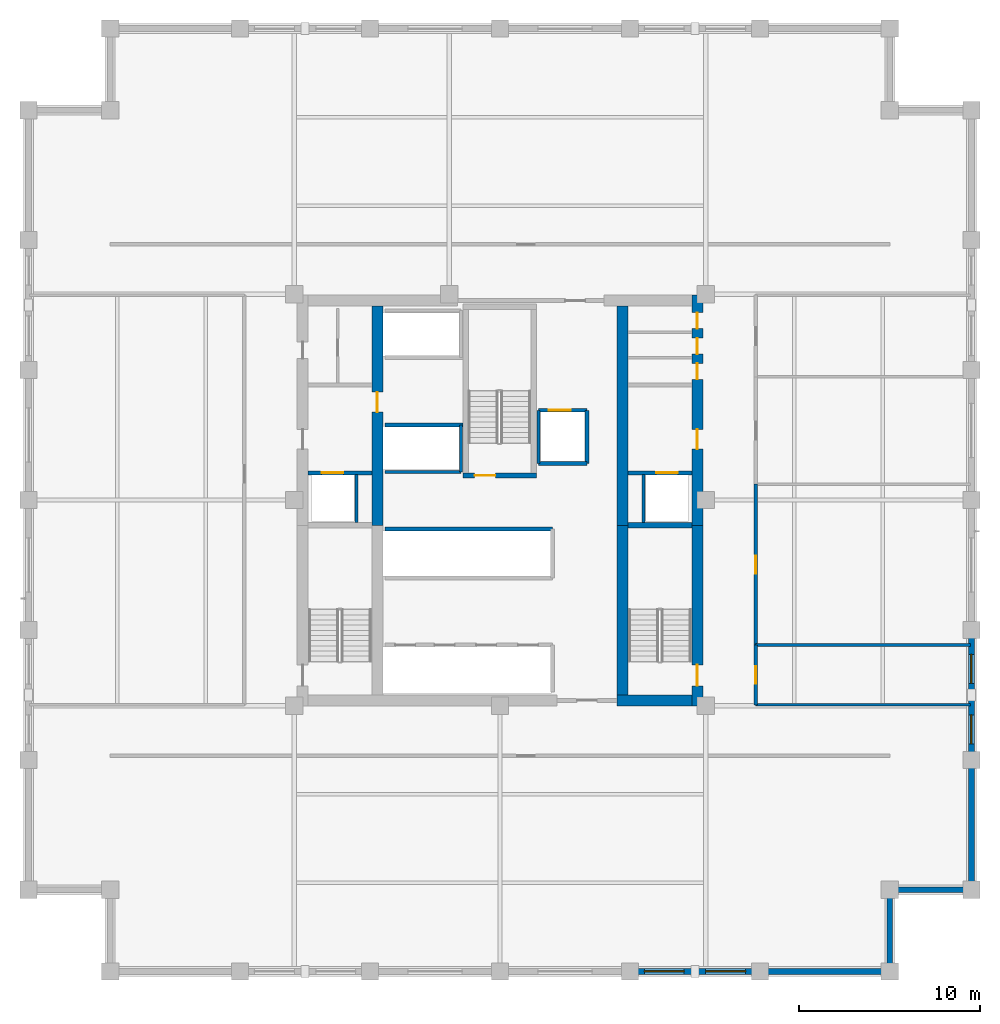
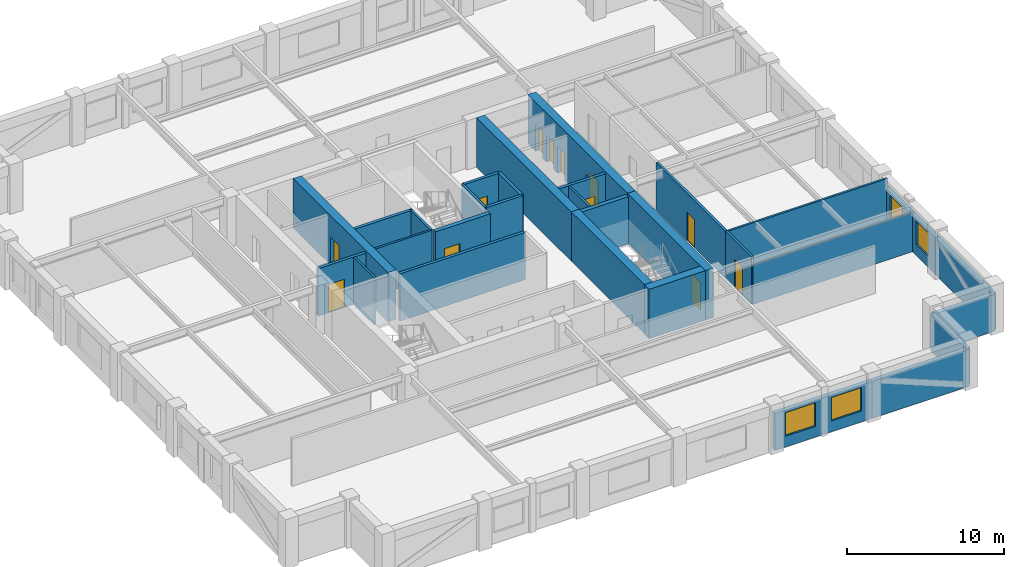
# One storey, part 6 of 9: 30 walls, 12 doors, 4 windows, 16 openings.
"""IFC4 building model written with IfcOpenShell, lengths in metres."""

from ifc_helpers import new_model, si_unit, direction, frame, frame_2d, origin, place, context, subcontext, project, spatial, rectangle, extrude, material, layer, layer_set, type_object, element, fill, save


model = new_model("IFC4")

# Units and contexts
model_context = context("Model", 3, precision=1e-05, world=origin(), true_north=direction((0.0, 1.0)))
body_context = subcontext(model_context, "Body", "Model", "MODEL_VIEW")
ifc_project = project(units=[si_unit("LENGTHUNIT", "METRE"), si_unit("AREAUNIT", "SQUARE_METRE"), si_unit("VOLUMEUNIT", "CUBIC_METRE"), si_unit("PLANEANGLEUNIT", "RADIAN"), si_unit("MASSUNIT", "GRAM", prefix="KILO")], contexts=[model_context])

# Site, building, storey
site_placement = place(None, origin())
site = spatial("IfcSite", under=ifc_project, at=site_placement, CompositionType="ELEMENT")
building_placement = place(site_placement, origin())
building = spatial("IfcBuilding", under=site, at=building_placement, Name="Nhamokura Convention Tower", CompositionType="ELEMENT")
storey_placement = place(building_placement, frame((0.0, 0.0, 149.10009765625)))
storey = spatial("IfcBuildingStorey", under=building, at=storey_placement, Name="L36", CompositionType="ELEMENT", Elevation=149.10009765625)

# Wall, openings, windows
ifc_material_1 = material(Name="Bronze-pigmented precast concrete C45/55", Category="concrete")
ifc_layer_1 = layer(ifc_material_1, 0.320068359375)
ifc_layer_set_1 = layer_set([ifc_layer_1], Name="BronzePrecastSpandrel_320")
wall_type_1 = type_object("IfcWallType", Name="BronzePrecastSpandrel_320", PredefinedType="USERDEFINED", material=ifc_layer_set_1)
wall_1_placement = place(storey_placement, frame((46.333251953125, 6.0, 0.0), z_axis=(0.0, 0.0, 1.0), x_axis=(-1.0, 0.0, 0.0)))
wall_1 = element("IfcWall", 1, at=wall_1_placement, inside=storey, type_object=wall_type_1, Name="L36 Masonry-Frame Wall SOUTH 4", ObjectType="SPANDREL_WALL", PredefinedType="USERDEFINED", context=body_context, shape_type="SweptSolid", body=[
    extrude(rectangle(XDim=7.16650390625, YDim=0.320068359375, at=frame_2d((3.583251953125, 0.0))), origin(), (0.0, 0.0, 1.0), 2.885009765625),
])
opening_1_placement = place(wall_1_placement, frame((0.791748046875, 0.0, 0.85009765625)))
opening_1 = element("IfcOpeningElement", 2, at=opening_1_placement, cuts=wall_1, Name="Opening W-06", PredefinedType="OPENING", context=body_context, shape_type="SweptSolid", body=[
    extrude(rectangle(XDim=2.199951171875, YDim=1.8349609375, at=frame_2d((1.10009765625, 0.91748046875))), frame((0.0, 0.169921875, 0.0), z_axis=(0.0, -1.0, 0.0), x_axis=(1.0, 0.0, 0.0)), (0.0, 0.0, 1.0), 0.340087890625),
])
opening_2_placement = place(wall_1_placement, frame((4.175048828125, 0.0, 0.85009765625)))
opening_2 = element("IfcOpeningElement", 3, at=opening_2_placement, cuts=wall_1, Name="Opening W-06", PredefinedType="OPENING", context=body_context, shape_type="SweptSolid", body=[
    extrude(rectangle(XDim=2.199951171875, YDim=1.8349609375, at=frame_2d((1.10009765625, 0.91748046875))), frame((0.0, 0.169921875, 0.0), z_axis=(0.0, -1.0, 0.0), x_axis=(1.0, 0.0, 0.0)), (0.0, 0.0, 1.0), 0.340087890625),
])
ifc_material_2 = material(Name="Solar-control bronze low-E double glass", Category="glass")
window_type_1 = type_object("IfcWindowType", Name="OfficeModuleWindow_Z2_2200", PartitioningType="SINGLE_PANEL", PredefinedType="WINDOW", material=ifc_material_2)
window_1_placement = place(opening_1_placement, origin())
window_1 = element("IfcWindow", 4, at=window_1_placement, inside=storey, type_object=window_type_1, Name="L36 Facade Window SOUTH 4-1", OverallHeight=1.8349609375, OverallWidth=2.199951171875, PartitioningType="SINGLE_PANEL", PredefinedType="WINDOW", context=body_context, shape_type="SweptSolid", body=[
    extrude(rectangle(XDim=2.199951171875, YDim=1.8349609375, at=frame_2d((1.10009765625, 0.91748046875))), frame((0.0, 0.030029296875, 0.0), z_axis=(0.0, -1.0, 0.0), x_axis=(1.0, 0.0, 0.0)), (0.0, 0.0, 1.0), 0.06005859375),
])
fill(opening_1, window_1)
window_2_placement = place(opening_2_placement, origin())
window_2 = element("IfcWindow", 5, at=window_2_placement, inside=storey, type_object=window_type_1, Name="L36 Facade Window SOUTH 4-2", OverallHeight=1.8349609375, OverallWidth=2.199951171875, PartitioningType="SINGLE_PANEL", PredefinedType="WINDOW", context=body_context, shape_type="SweptSolid", body=[
    extrude(rectangle(XDim=2.199951171875, YDim=1.8349609375, at=frame_2d((1.10009765625, 0.91748046875))), frame((0.0, 0.030029296875, 0.0), z_axis=(0.0, -1.0, 0.0), x_axis=(1.0, 0.0, 0.0)), (0.0, 0.0, 1.0), 0.06005859375),
])
fill(opening_2, window_2)

# Walls
for number, where, z_axis, x_axis, name in (
    (6, (53.5, 6.0, 0.0), (0.0, 0.0, 1.0), (-1.0, 0.0, 0.0), "L36 Braced-Bay Precast Wall SOUTH 5"),
    (7, (58.0, 17.666748046875, 0.0), (0.0, 0.0, 1.0), (0.0, -1.0, 0.0), "L36 Braced-Bay Precast Wall EAST 0"),
):
    element("IfcWall", number, at=place(storey_placement, frame(where, z_axis=z_axis, x_axis=x_axis)), inside=storey, type_object=wall_type_1, Name=name, ObjectType="SPANDREL_WALL", PredefinedType="USERDEFINED", context=body_context, shape_type="SweptSolid", body=[
        extrude(rectangle(XDim=7.166748046875, YDim=0.320068359375, at=frame_2d((3.58349609375, 0.0))), origin(), (0.0, 0.0, 1.0), 2.885009765625),
    ])

# Wall, openings, windows
wall_2_placement = place(storey_placement, frame((58.0, 24.833251953125, 0.0), z_axis=(0.0, 0.0, 1.0), x_axis=(0.0, -1.0, 0.0)))
wall_2 = element("IfcWall", 8, at=wall_2_placement, inside=storey, type_object=wall_type_1, Name="L36 Masonry-Frame Wall EAST 1", ObjectType="SPANDREL_WALL", PredefinedType="USERDEFINED", context=body_context, shape_type="SweptSolid", body=[
    extrude(rectangle(XDim=7.16650390625, YDim=0.320068359375, at=frame_2d((3.583251953125, 0.0))), origin(), (0.0, 0.0, 1.0), 2.885009765625),
])
opening_3_placement = place(wall_2_placement, frame((1.341796875, 0.0, 0.85009765625)))
opening_3 = element("IfcOpeningElement", 9, at=opening_3_placement, cuts=wall_2, Name="Opening W-11", PredefinedType="OPENING", context=body_context, shape_type="SweptSolid", body=[
    extrude(rectangle(XDim=1.60009765625, YDim=1.8349609375, at=frame_2d((0.800048828125, 0.91748046875))), frame((0.0, 0.169921875, 0.0), z_axis=(0.0, -1.0, 0.0), x_axis=(1.0, 0.0, 0.0)), (0.0, 0.0, 1.0), 0.340087890625),
])
opening_4_placement = place(wall_2_placement, frame((4.6875, 0.0, 0.85009765625)))
opening_4 = element("IfcOpeningElement", 10, at=opening_4_placement, cuts=wall_2, Name="Opening W-11", PredefinedType="OPENING", context=body_context, shape_type="SweptSolid", body=[
    extrude(rectangle(XDim=1.60009765625, YDim=1.8349609375, at=frame_2d((0.800048828125, 0.91748046875))), frame((0.0, 0.169921875, 0.0), z_axis=(0.0, -1.0, 0.0), x_axis=(1.0, 0.0, 0.0)), (0.0, 0.0, 1.0), 0.340087890625),
])
ifc_material_3 = material(Name="Solar-control bronze low-E double glass", Category="glass")
window_type_2 = type_object("IfcWindowType", Name="NotchCornerWindow_1600", PartitioningType="SINGLE_PANEL", PredefinedType="WINDOW", material=ifc_material_3)
window_3_placement = place(opening_3_placement, origin())
window_3 = element("IfcWindow", 11, at=window_3_placement, inside=storey, type_object=window_type_2, Name="L36 Facade Window EAST 1-1", OverallHeight=1.8349609375, OverallWidth=1.60009765625, PartitioningType="SINGLE_PANEL", PredefinedType="WINDOW", context=body_context, shape_type="SweptSolid", body=[
    extrude(rectangle(XDim=1.60009765625, YDim=1.8349609375, at=frame_2d((0.800048828125, 0.91748046875))), frame((0.0, 0.030029296875, 0.0), z_axis=(0.0, -1.0, 0.0), x_axis=(1.0, 0.0, 0.0)), (0.0, 0.0, 1.0), 0.06005859375),
])
fill(opening_3, window_3)
window_4_placement = place(opening_4_placement, origin())
window_4 = element("IfcWindow", 12, at=window_4_placement, inside=storey, type_object=window_type_2, Name="L36 Facade Window EAST 1-2", OverallHeight=1.8349609375, OverallWidth=1.60009765625, PartitioningType="SINGLE_PANEL", PredefinedType="WINDOW", context=body_context, shape_type="SweptSolid", body=[
    extrude(rectangle(XDim=1.60009765625, YDim=1.8349609375, at=frame_2d((0.800048828125, 0.91748046875))), frame((0.0, 0.030029296875, 0.0), z_axis=(0.0, -1.0, 0.0), x_axis=(1.0, 0.0, 0.0)), (0.0, 0.0, 1.0), 0.06005859375),
])
fill(opening_4, window_4)

# Walls
for number, where, z_axis, x_axis, name in (
    (13, (53.5, 10.5, 0.0), (0.0, 0.0, 1.0), (0.0, -1.0, 0.0), "L36 Notched Corner Wall SE1"),
    (14, (58.0, 10.5, 0.0), (0.0, 0.0, 1.0), (-1.0, 0.0, 0.0), "L36 Notched Corner Wall SE2"),
):
    element("IfcWall", number, at=place(storey_placement, frame(where, z_axis=z_axis, x_axis=x_axis)), inside=storey, type_object=wall_type_1, Name=name, ObjectType="SPANDREL_WALL", PredefinedType="USERDEFINED", context=body_context, shape_type="SweptSolid", body=[
        extrude(rectangle(XDim=4.5, YDim=0.320068359375, at=frame_2d((2.25, 0.0))), origin(), (0.0, 0.0, 1.0), 2.885009765625),
    ])

# Wall, opening, door
ifc_material_4 = material(Name="Concrete C60/75", Category="concrete")
ifc_layer_2 = layer(ifc_material_4, 0.60009765625)
ifc_layer_set_2 = layer_set([ifc_layer_2], Name="CoreShearWall_600")
wall_type_2 = type_object("IfcWallType", Name="CoreShearWall_600", PredefinedType="SHEAR", material=ifc_layer_set_2)
wall_3_placement = place(storey_placement, frame((42.889892578125, 20.64990234375, 0.0), z_axis=(0.0, 0.0, 1.0), x_axis=(0.0, 1.0, 0.0)))
wall_3 = element("IfcWall", 15, at=wall_3_placement, inside=storey, type_object=wall_type_2, Name="L36 Core Shear Wall CW-ES", PredefinedType="SHEAR", context=body_context, shape_type="SweptSolid", body=[
    extrude(rectangle(XDim=9.9501953125, YDim=0.60009765625, at=frame_2d((4.97509765625, 0.0))), origin(), (0.0, 0.0, 1.0), 3.849853515625),
])
opening_5_placement = place(wall_3_placement, frame((1.10009765625, 0.0, 0.0)))
opening_5 = element("IfcOpeningElement", 16, at=opening_5_placement, cuts=wall_3, Name="Opening D-04", PredefinedType="OPENING", context=body_context, shape_type="SweptSolid", body=[
    extrude(rectangle(XDim=1.14990234375, YDim=2.14990234375, at=frame_2d((0.574951171875, 1.074951171875))), frame((0.0, 0.31005859375, 0.0), z_axis=(0.0, -1.0, 0.0), x_axis=(1.0, 0.0, 0.0)), (0.0, 0.0, 1.0), 0.6201171875),
])
ifc_material_5 = material(Name="Fire-rated steel door", Category="steel")
door_type_1 = type_object("IfcDoorType", Name="StairSmokeDoor_1150", OperationType="NOTDEFINED", PredefinedType="DOOR", material=ifc_material_5)
door_1_placement = place(opening_5_placement, origin())
door_1 = element("IfcDoor", 17, at=door_1_placement, inside=storey, type_object=door_type_1, Name="L36 Core Door INT-L36-D-ST02", OperationType="SINGLE_SWING_RIGHT", OverallHeight=2.14990234375, OverallWidth=1.14990234375, PredefinedType="DOOR", context=body_context, shape_type="SweptSolid", body=[
    extrude(rectangle(XDim=1.14990234375, YDim=2.14990234375, at=frame_2d((0.574951171875, 1.074951171875))), frame((0.0, 0.02490234375, 0.0), z_axis=(0.0, -1.0, 0.0), x_axis=(1.0, 0.0, 0.0)), (0.0, 0.0, 1.0), 0.050048828125),
])
fill(opening_5, door_1)

# Wall, openings, doors
wall_4_placement = place(storey_placement, frame((42.889892578125, 30.60009765625, 0.0), z_axis=(0.0, 0.0, 1.0), x_axis=(0.0, 1.0, 0.0)))
wall_4 = element("IfcWall", 18, at=wall_4_placement, inside=storey, type_object=wall_type_2, Name="L36 Core Shear Wall CW-EN", PredefinedType="SHEAR", context=body_context, shape_type="SweptSolid", body=[
    extrude(rectangle(XDim=12.699951171875, YDim=0.60009765625, at=frame_2d((6.35009765625, 0.0))), origin(), (0.0, 0.0, 1.0), 3.849853515625),
])
opening_6_placement = place(wall_4_placement, frame((4.199951171875, 0.0, 0.0)))
opening_6 = element("IfcOpeningElement", 19, at=opening_6_placement, cuts=wall_4, Name="Opening D-05", PredefinedType="OPENING", context=body_context, shape_type="SweptSolid", body=[
    extrude(rectangle(XDim=1.10009765625, YDim=2.14990234375, at=frame_2d((0.550048828125, 1.074951171875))), frame((0.0, 0.31005859375, 0.0), z_axis=(0.0, -1.0, 0.0), x_axis=(1.0, 0.0, 0.0)), (0.0, 0.0, 1.0), 0.6201171875),
])
opening_7_placement = place(wall_4_placement, frame((8.050048828125, 0.0, 0.0)))
opening_7 = element("IfcOpeningElement", 20, at=opening_7_placement, cuts=wall_4, Name="Opening D-11", PredefinedType="OPENING", context=body_context, shape_type="SweptSolid", body=[
    extrude(rectangle(XDim=0.8798828125, YDim=2.10009765625, at=frame_2d((0.43994140625, 1.050048828125))), frame((0.0, 0.31005859375, 0.0), z_axis=(0.0, -1.0, 0.0), x_axis=(1.0, 0.0, 0.0)), (0.0, 0.0, 1.0), 0.6201171875),
])
opening_8_placement = place(wall_4_placement, frame((9.449951171875, 0.0, 0.0)))
opening_8 = element("IfcOpeningElement", 21, at=opening_8_placement, cuts=wall_4, Name="Opening D-11", PredefinedType="OPENING", context=body_context, shape_type="SweptSolid", body=[
    extrude(rectangle(XDim=0.8798828125, YDim=2.10009765625, at=frame_2d((0.43994140625, 1.050048828125))), frame((0.0, 0.31005859375, 0.0), z_axis=(0.0, -1.0, 0.0), x_axis=(1.0, 0.0, 0.0)), (0.0, 0.0, 1.0), 0.6201171875),
])
opening_9_placement = place(wall_4_placement, frame((10.85009765625, 0.0, 0.0)))
opening_9 = element("IfcOpeningElement", 22, at=opening_9_placement, cuts=wall_4, Name="Opening D-11", PredefinedType="OPENING", context=body_context, shape_type="SweptSolid", body=[
    extrude(rectangle(XDim=0.8798828125, YDim=2.10009765625, at=frame_2d((0.43994140625, 1.050048828125))), frame((0.0, 0.31005859375, 0.0), z_axis=(0.0, -1.0, 0.0), x_axis=(1.0, 0.0, 0.0)), (0.0, 0.0, 1.0), 0.6201171875),
])
ifc_material_6 = material(Name="Solid oak hardwood", Category="wood")
door_type_2 = type_object("IfcDoorType", Name="BathroomDoor_880", OperationType="NOTDEFINED", PredefinedType="DOOR", material=ifc_material_6)
door_2_placement = place(opening_7_placement, origin())
door_2 = element("IfcDoor", 23, at=door_2_placement, inside=storey, type_object=door_type_2, Name="L36 Core Door INT-L36-D-MWC", OperationType="SINGLE_SWING_LEFT", OverallHeight=2.10009765625, OverallWidth=0.8798828125, PredefinedType="DOOR", context=body_context, shape_type="SweptSolid", body=[
    extrude(rectangle(XDim=0.8798828125, YDim=2.10009765625, at=frame_2d((0.43994140625, 1.050048828125))), frame((0.0, 0.02490234375, 0.0), z_axis=(0.0, -1.0, 0.0), x_axis=(1.0, 0.0, 0.0)), (0.0, 0.0, 1.0), 0.050048828125),
])
fill(opening_7, door_2)
door_3_placement = place(opening_8_placement, origin())
door_3 = element("IfcDoor", 24, at=door_3_placement, inside=storey, type_object=door_type_2, Name="L36 Core Door INT-L36-D-FWC", OperationType="SINGLE_SWING_RIGHT", OverallHeight=2.10009765625, OverallWidth=0.8798828125, PredefinedType="DOOR", context=body_context, shape_type="SweptSolid", body=[
    extrude(rectangle(XDim=0.8798828125, YDim=2.10009765625, at=frame_2d((0.43994140625, 1.050048828125))), frame((0.0, 0.02490234375, 0.0), z_axis=(0.0, -1.0, 0.0), x_axis=(1.0, 0.0, 0.0)), (0.0, 0.0, 1.0), 0.050048828125),
])
fill(opening_8, door_3)
door_4_placement = place(opening_9_placement, origin())
door_4 = element("IfcDoor", 25, at=door_4_placement, inside=storey, type_object=door_type_2, Name="L36 Core Door INT-L36-D-ARC", OperationType="SINGLE_SWING_LEFT", OverallHeight=2.10009765625, OverallWidth=0.8798828125, PredefinedType="DOOR", context=body_context, shape_type="SweptSolid", body=[
    extrude(rectangle(XDim=0.8798828125, YDim=2.10009765625, at=frame_2d((0.43994140625, 1.050048828125))), frame((0.0, 0.02490234375, 0.0), z_axis=(0.0, -1.0, 0.0), x_axis=(1.0, 0.0, 0.0)), (0.0, 0.0, 1.0), 0.050048828125),
])
fill(opening_9, door_4)
ifc_material_7 = material(Name="Fire-rated steel door", Category="steel")
door_type_3 = type_object("IfcDoorType", Name="FireLobbyDoor_1100", OperationType="NOTDEFINED", PredefinedType="DOOR", material=ifc_material_7)
door_5_placement = place(opening_6_placement, origin())
door_5 = element("IfcDoor", 26, at=door_5_placement, inside=storey, type_object=door_type_3, Name="L36 Core Door INT-L36-D-FFLE", OperationType="SINGLE_SWING_LEFT", OverallHeight=2.14990234375, OverallWidth=1.10009765625, PredefinedType="DOOR", context=body_context, shape_type="SweptSolid", body=[
    extrude(rectangle(XDim=1.10009765625, YDim=2.14990234375, at=frame_2d((0.550048828125, 1.074951171875))), frame((0.0, 0.02490234375, 0.0), z_axis=(0.0, -1.0, 0.0), x_axis=(1.0, 0.0, 0.0)), (0.0, 0.0, 1.0), 0.050048828125),
])
fill(opening_6, door_5)

# Wall
wall_5_placement = place(storey_placement, frame((38.449951171875, 20.949951171875, 0.0), z_axis=(0.0, 0.0, 1.0), x_axis=(1.0, 0.0, 0.0)))
element("IfcWall", 27, at=wall_5_placement, inside=storey, type_object=wall_type_2, Name="L36 Core Shear Wall CW-S2", PredefinedType="SHEAR", context=body_context, shape_type="SweptSolid", body=[
    extrude(rectangle(XDim=4.14013671875, YDim=0.60009765625, at=frame_2d((2.070068359375, 0.0))), origin(), (0.0, 0.0, 1.0), 3.849853515625),
])

# Wall, opening, door
wall_6_placement = place(storey_placement, frame((25.239990234375, 30.60009765625, 0.0), z_axis=(0.0, 0.0, 1.0), x_axis=(0.0, 1.0, 0.0)))
wall_6 = element("IfcWall", 28, at=wall_6_placement, inside=storey, type_object=wall_type_2, Name="L36 Core Shear Wall CW-IWN", PredefinedType="SHEAR", context=body_context, shape_type="SweptSolid", body=[
    extrude(rectangle(XDim=12.099853515625, YDim=0.60009765625, at=frame_2d((6.0498046875, 0.0))), origin(), (0.0, 0.0, 1.0), 3.849853515625),
])
opening_10_placement = place(wall_6_placement, frame((6.25, 0.0, 0.0)))
opening_10 = element("IfcOpeningElement", 29, at=opening_10_placement, cuts=wall_6, Name="Opening D-05", PredefinedType="OPENING", context=body_context, shape_type="SweptSolid", body=[
    extrude(rectangle(XDim=1.10009765625, YDim=2.14990234375, at=frame_2d((0.550048828125, 1.074951171875))), frame((0.0, 0.31005859375, 0.0), z_axis=(0.0, -1.0, 0.0), x_axis=(1.0, 0.0, 0.0)), (0.0, 0.0, 1.0), 0.6201171875),
])
door_6_placement = place(opening_10_placement, origin())
door_6 = element("IfcDoor", 30, at=door_6_placement, inside=storey, type_object=door_type_3, Name="L36 Core Door INT-L36-D-B3LOB", OperationType="SINGLE_SWING_LEFT", OverallHeight=2.14990234375, OverallWidth=1.10009765625, PredefinedType="DOOR", context=body_context, shape_type="SweptSolid", body=[
    extrude(rectangle(XDim=1.10009765625, YDim=2.14990234375, at=frame_2d((0.550048828125, 1.074951171875))), frame((0.0, 0.02490234375, 0.0), z_axis=(0.0, -1.0, 0.0), x_axis=(1.0, 0.0, 0.0)), (0.0, 0.0, 1.0), 0.050048828125),
])
fill(opening_10, door_6)

# Walls
wall_7_placement = place(storey_placement, frame((38.760009765625, 21.25, 0.0), z_axis=(0.0, 0.0, 1.0), x_axis=(0.0, 1.0, 0.0)))
element("IfcWall", 31, at=wall_7_placement, inside=storey, type_object=wall_type_2, Name="L36 Core Shear Wall CW-IES", PredefinedType="SHEAR", context=body_context, shape_type="SweptSolid", body=[
    extrude(rectangle(XDim=9.35009765625, YDim=0.60009765625, at=frame_2d((4.675048828125, 0.0))), origin(), (0.0, 0.0, 1.0), 3.849853515625),
])
wall_8_placement = place(storey_placement, frame((38.760009765625, 30.60009765625, 0.0), z_axis=(0.0, 0.0, 1.0), x_axis=(0.0, 1.0, 0.0)))
element("IfcWall", 32, at=wall_8_placement, inside=storey, type_object=wall_type_2, Name="L36 Core Shear Wall CW-IEN", PredefinedType="SHEAR", context=body_context, shape_type="SweptSolid", body=[
    extrude(rectangle(XDim=12.099853515625, YDim=0.60009765625, at=frame_2d((6.0498046875, 0.0))), origin(), (0.0, 0.0, 1.0), 3.849853515625),
])

# Wall, opening, door
ifc_material_8 = material(Name="Fire-rated gypsum and masonry partition", Category="masonry")
ifc_layer_3 = layer(ifc_material_8, 0.179931640625)
ifc_layer_set_3 = layer_set([ifc_layer_3], Name="CorridorRatedWall_180")
wall_type_3 = type_object("IfcWallType", Name="CorridorRatedWall_180", PredefinedType="STANDARD", material=ifc_layer_set_3)
wall_9_placement = place(storey_placement, frame((46.10009765625, 20.699951171875, 0.0), z_axis=(0.0, 0.0, 1.0), x_axis=(0.0, 1.0, 0.0)))
wall_9 = element("IfcWall", 33, at=wall_9_placement, inside=storey, type_object=wall_type_3, Name="L36 Wall INT-L36-CW-E00", PredefinedType="STANDARD", context=body_context, shape_type="SweptSolid", body=[
    extrude(rectangle(XDim=3.308349609375, YDim=0.179931640625, at=frame_2d((1.654296875, 0.0))), origin(), (0.0, 0.0, 1.0), 3.684814453125),
])
opening_11_placement = place(wall_9_placement, frame((1.154052734375, 0.0, 0.0)))
opening_11 = element("IfcOpeningElement", 34, at=opening_11_placement, cuts=wall_9, Name="Opening D-08", PredefinedType="OPENING", context=body_context, shape_type="SweptSolid", body=[
    extrude(rectangle(XDim=0.97998046875, YDim=2.199951171875, at=frame_2d((0.489990234375, 1.10009765625))), frame((0.0, 0.099853515625, 0.0), z_axis=(0.0, -1.0, 0.0), x_axis=(1.0, 0.0, 0.0)), (0.0, 0.0, 1.0), 0.199951171875),
])
ifc_material_9 = material(Name="Solid oak hardwood", Category="wood")
door_type_4 = type_object("IfcDoorType", Name="OfficeEntryDoor_980", OperationType="NOTDEFINED", PredefinedType="DOOR", material=ifc_material_9)
door_7_placement = place(opening_11_placement, origin())
door_7 = element("IfcDoor", 35, at=door_7_placement, inside=storey, type_object=door_type_4, Name="L36 Private Office E01 Door", OperationType="SINGLE_SWING_LEFT", OverallHeight=2.199951171875, OverallWidth=0.97998046875, PredefinedType="DOOR", context=body_context, shape_type="SweptSolid", body=[
    extrude(rectangle(XDim=0.97998046875, YDim=2.199951171875, at=frame_2d((0.489990234375, 1.10009765625))), frame((0.0, 0.02490234375, 0.0), z_axis=(0.0, -1.0, 0.0), x_axis=(1.0, 0.0, 0.0)), (0.0, 0.0, 1.0), 0.050048828125),
])
fill(opening_11, door_7)

wall_10_placement = place(storey_placement, frame((46.10009765625, 24.00830078125, 0.0), z_axis=(0.0, 0.0, 1.0), x_axis=(0.0, 1.0, 0.0)))
wall_10 = element("IfcWall", 36, at=wall_10_placement, inside=storey, type_object=wall_type_3, Name="L36 Wall INT-L36-CW-E01", PredefinedType="STANDARD", context=body_context, shape_type="SweptSolid", body=[
    extrude(rectangle(XDim=8.86669921875, YDim=0.179931640625, at=frame_2d((4.433349609375, 0.0))), origin(), (0.0, 0.0, 1.0), 3.684814453125),
])
opening_12_placement = place(wall_10_placement, frame((3.933349609375, 0.0, 0.0)))
opening_12 = element("IfcOpeningElement", 37, at=opening_12_placement, cuts=wall_10, Name="Opening D-08", PredefinedType="OPENING", context=body_context, shape_type="SweptSolid", body=[
    extrude(rectangle(XDim=0.97998046875, YDim=2.199951171875, at=frame_2d((0.489990234375, 1.10009765625))), frame((0.0, 0.099853515625, 0.0), z_axis=(0.0, -1.0, 0.0), x_axis=(1.0, 0.0, 0.0)), (0.0, 0.0, 1.0), 0.199951171875),
])
door_8_placement = place(opening_12_placement, origin())
door_8 = element("IfcDoor", 38, at=door_8_placement, inside=storey, type_object=door_type_4, Name="L36 Private Office E02 Door", OperationType="SINGLE_SWING_RIGHT", OverallHeight=2.199951171875, OverallWidth=0.97998046875, PredefinedType="DOOR", context=body_context, shape_type="SweptSolid", body=[
    extrude(rectangle(XDim=0.97998046875, YDim=2.199951171875, at=frame_2d((0.489990234375, 1.10009765625))), frame((0.0, 0.02490234375, 0.0), z_axis=(0.0, -1.0, 0.0), x_axis=(1.0, 0.0, 0.0)), (0.0, 0.0, 1.0), 0.050048828125),
])
fill(opening_12, door_8)

ifc_material_10 = material(Name="Autoclaved concrete blockwork", Category="masonry")
ifc_layer_4 = layer(ifc_material_10, 0.219970703125)
ifc_layer_set_4 = layer_set([ifc_layer_4], Name="FireLobbyWall_220")
wall_type_4 = type_object("IfcWallType", Name="FireLobbyWall_220", PredefinedType="STANDARD", material=ifc_layer_set_4)
wall_11_placement = place(storey_placement, frame((21.409912109375, 33.5, 0.0), z_axis=(0.0, 0.0, 1.0), x_axis=(1.0, 0.0, 0.0)))
wall_11 = element("IfcWall", 39, at=wall_11_placement, inside=storey, type_object=wall_type_4, Name="L36 Wall INT-L36-FFW-S", PredefinedType="STANDARD", context=body_context, shape_type="SweptSolid", body=[
    extrude(rectangle(XDim=3.530029296875, YDim=0.219970703125, at=frame_2d((1.76513671875, 0.0))), origin(), (0.0, 0.0, 1.0), 3.684814453125),
])
opening_13_placement = place(wall_11_placement, frame((0.75, 0.0, 0.0)))
opening_13 = element("IfcOpeningElement", 40, at=opening_13_placement, cuts=wall_11, Name="Opening LD-02", PredefinedType="OPENING", context=body_context, shape_type="SweptSolid", body=[
    extrude(rectangle(XDim=1.199951171875, YDim=2.199951171875, at=frame_2d((0.60009765625, 1.10009765625))), frame((0.0, 0.119873046875, 0.0), z_axis=(0.0, -1.0, 0.0), x_axis=(1.0, 0.0, 0.0)), (0.0, 0.0, 1.0), 0.239990234375),
])
ifc_material_11 = material(Name="Anodised bronze stainless steel", Category="steel")
door_type_5 = type_object("IfcDoorType", Name="LiftLandingDoor_FireService", OperationType="DOUBLE_DOOR_SLIDING", PredefinedType="DOOR", material=ifc_material_11)
door_9_placement = place(opening_13_placement, origin())
door_9 = element("IfcDoor", 41, at=door_9_placement, inside=storey, type_object=door_type_5, Name="L36 Firefighting Lift LF-01 Door", OperationType="DOUBLE_DOOR_SLIDING", OverallHeight=2.199951171875, OverallWidth=1.199951171875, PredefinedType="DOOR", context=body_context, shape_type="SweptSolid", body=[
    extrude(rectangle(XDim=1.199951171875, YDim=2.199951171875, at=frame_2d((0.60009765625, 1.10009765625))), frame((0.0, 0.02490234375, 0.0), z_axis=(0.0, -1.0, 0.0), x_axis=(1.0, 0.0, 0.0)), (0.0, 0.0, 1.0), 0.050048828125),
])
fill(opening_13, door_9)

wall_12_placement = place(storey_placement, frame((39.06005859375, 33.5, 0.0), z_axis=(0.0, 0.0, 1.0), x_axis=(1.0, 0.0, 0.0)))
wall_12 = element("IfcWall", 42, at=wall_12_placement, inside=storey, type_object=wall_type_4, Name="L36 Wall INT-L36-FFE-S", PredefinedType="STANDARD", context=body_context, shape_type="SweptSolid", body=[
    extrude(rectangle(XDim=3.530029296875, YDim=0.219970703125, at=frame_2d((1.76513671875, 0.0))), origin(), (0.0, 0.0, 1.0), 3.684814453125),
])
opening_14_placement = place(wall_12_placement, frame((1.550048828125, 0.0, 0.0)))
opening_14 = element("IfcOpeningElement", 43, at=opening_14_placement, cuts=wall_12, Name="Opening LD-02", PredefinedType="OPENING", context=body_context, shape_type="SweptSolid", body=[
    extrude(rectangle(XDim=1.199951171875, YDim=2.199951171875, at=frame_2d((0.60009765625, 1.10009765625))), frame((0.0, 0.119873046875, 0.0), z_axis=(0.0, -1.0, 0.0), x_axis=(1.0, 0.0, 0.0)), (0.0, 0.0, 1.0), 0.239990234375),
])
door_10_placement = place(opening_14_placement, origin())
door_10 = element("IfcDoor", 44, at=door_10_placement, inside=storey, type_object=door_type_5, Name="L36 Firefighting Lift LF-02 Door", OperationType="DOUBLE_DOOR_SLIDING", OverallHeight=2.199951171875, OverallWidth=1.199951171875, PredefinedType="DOOR", context=body_context, shape_type="SweptSolid", body=[
    extrude(rectangle(XDim=1.199951171875, YDim=2.199951171875, at=frame_2d((0.60009765625, 1.10009765625))), frame((0.0, 0.02490234375, 0.0), z_axis=(0.0, -1.0, 0.0), x_axis=(1.0, 0.0, 0.0)), (0.0, 0.0, 1.0), 0.050048828125),
])
fill(opening_14, door_10)

# Walls
wall_13_placement = place(storey_placement, frame((25.64990234375, 30.39990234375, 0.0), z_axis=(0.0, 0.0, 1.0), x_axis=(1.0, 0.0, 0.0)))
element("IfcWall", 45, at=wall_13_placement, inside=storey, type_object=wall_type_4, Name="L36 Wall INT-L36-B2N", PredefinedType="STANDARD", context=body_context, shape_type="SweptSolid", body=[
    extrude(rectangle(XDim=9.25, YDim=0.219970703125, at=frame_2d((4.625, 0.0))), origin(), (0.0, 0.0, 1.0), 3.684814453125),
])
wall_14_placement = place(storey_placement, frame((25.64990234375, 36.14990234375, 0.0), z_axis=(0.0, 0.0, 1.0), x_axis=(1.0, 0.0, 0.0)))
element("IfcWall", 46, at=wall_14_placement, inside=storey, type_object=wall_type_4, Name="L36 Wall INT-L36-B3S", PredefinedType="STANDARD", context=body_context, shape_type="SweptSolid", body=[
    extrude(rectangle(XDim=4.300048828125, YDim=0.219970703125, at=frame_2d((2.14990234375, 0.0))), origin(), (0.0, 0.0, 1.0), 3.684814453125),
])

# Wall, opening, door
wall_15_placement = place(storey_placement, frame((34.1201171875, 36.949951171875, 0.0), z_axis=(0.0, 0.0, 1.0), x_axis=(1.0, 0.0, 0.0)))
wall_15 = element("IfcWall", 47, at=wall_15_placement, inside=storey, type_object=wall_type_4, Name="L36 Wall INT-L36-LSN", PredefinedType="STANDARD", context=body_context, shape_type="SweptSolid", body=[
    extrude(rectangle(XDim=2.679931640625, YDim=0.219970703125, at=frame_2d((1.33984375, 0.0))), origin(), (0.0, 0.0, 1.0), 3.684814453125),
])
opening_15_placement = place(wall_15_placement, frame((0.580078125, 0.0, 0.0)))
opening_15 = element("IfcOpeningElement", 48, at=opening_15_placement, cuts=wall_15, Name="Opening LD-02", PredefinedType="OPENING", context=body_context, shape_type="SweptSolid", body=[
    extrude(rectangle(XDim=1.199951171875, YDim=2.199951171875, at=frame_2d((0.60009765625, 1.10009765625))), frame((0.0, 0.119873046875, 0.0), z_axis=(0.0, -1.0, 0.0), x_axis=(1.0, 0.0, 0.0)), (0.0, 0.0, 1.0), 0.239990234375),
])
door_11_placement = place(opening_15_placement, origin())
door_11 = element("IfcDoor", 49, at=door_11_placement, inside=storey, type_object=door_type_5, Name="L36 Service Lift LS-01 Door", OperationType="DOUBLE_DOOR_SLIDING", OverallHeight=2.199951171875, OverallWidth=1.199951171875, PredefinedType="DOOR", context=body_context, shape_type="SweptSolid", body=[
    extrude(rectangle(XDim=1.199951171875, YDim=2.199951171875, at=frame_2d((0.60009765625, 1.10009765625))), frame((0.0, 0.02490234375, 0.0), z_axis=(0.0, -1.0, 0.0), x_axis=(1.0, 0.0, 0.0)), (0.0, 0.0, 1.0), 0.050048828125),
])
fill(opening_15, door_11)

# Walls
wall_16_placement = place(storey_placement, frame((36.800048828125, 34.02001953125, 0.0), z_axis=(0.0, 0.0, 1.0), x_axis=(0.0, 1.0, 0.0)))
element("IfcWall", 50, at=wall_16_placement, inside=storey, type_object=wall_type_4, Name="L36 Wall INT-L36-LSE", PredefinedType="STANDARD", context=body_context, shape_type="SweptSolid", body=[
    extrude(rectangle(XDim=2.929931640625, YDim=0.219970703125, at=frame_2d((1.46484375, 0.0))), origin(), (0.0, 0.0, 1.0), 3.684814453125),
])
wall_17_placement = place(storey_placement, frame((34.1201171875, 34.02001953125, 0.0), z_axis=(0.0, 0.0, 1.0), x_axis=(1.0, 0.0, 0.0)))
element("IfcWall", 51, at=wall_17_placement, inside=storey, type_object=wall_type_4, Name="L36 Wall INT-L36-LSS", PredefinedType="STANDARD", context=body_context, shape_type="SweptSolid", body=[
    extrude(rectangle(XDim=2.679931640625, YDim=0.219970703125, at=frame_2d((1.33984375, 0.0))), origin(), (0.0, 0.0, 1.0), 3.684814453125),
])
ifc_material_12 = material(Name="Acoustic gypsum stud partition", Category="masonry")
ifc_layer_5 = layer(ifc_material_12, 0.14990234375)
ifc_layer_set_5 = layer_set([ifc_layer_5], Name="InteriorPartition_150")
wall_type_5 = type_object("IfcWallType", Name="InteriorPartition_150", PredefinedType="STANDARD", material=ifc_layer_set_5)
for number, where, z_axis, x_axis, name in (
    (52, (24.080078125, 30.75, 0.0), (0.0, 0.0, 1.0), (0.0, 1.0, 0.0), "L36 Wall INT-L36-FF1-E"),
    (53, (39.919921875, 30.75, 0.0), (0.0, 0.0, 1.0), (0.0, 1.0, 0.0), "L36 Wall INT-L36-FF2-W"),
):
    element("IfcWall", number, at=place(storey_placement, frame(where, z_axis=z_axis, x_axis=x_axis)), inside=storey, type_object=wall_type_5, Name=name, PredefinedType="STANDARD", context=body_context, shape_type="SweptSolid", body=[
        extrude(rectangle(XDim=2.64990234375, YDim=0.14990234375, at=frame_2d((1.324951171875, 0.0))), origin(), (0.0, 0.0, 1.0), 3.684814453125),
    ])
wall_18_placement = place(storey_placement, frame((25.64990234375, 33.550048828125, 0.0), z_axis=(0.0, 0.0, 1.0), x_axis=(1.0, 0.0, 0.0)))
element("IfcWall", 54, at=wall_18_placement, inside=storey, type_object=wall_type_5, Name="L36 Wall INT-L36-B3A-S", PredefinedType="STANDARD", context=body_context, shape_type="SweptSolid", body=[
    extrude(rectangle(XDim=4.2001953125, YDim=0.14990234375, at=frame_2d((2.10009765625, 0.0))), origin(), (0.0, 0.0, 1.0), 3.684814453125),
])
wall_19_placement = place(storey_placement, frame((29.85009765625, 33.550048828125, 0.0), z_axis=(0.0, 0.0, 1.0), x_axis=(0.0, 1.0, 0.0)))
element("IfcWall", 55, at=wall_19_placement, inside=storey, type_object=wall_type_5, Name="L36 Wall INT-L36-B3A-E", PredefinedType="STANDARD", context=body_context, shape_type="SweptSolid", body=[
    extrude(rectangle(XDim=2.599853515625, YDim=0.14990234375, at=frame_2d((1.2998046875, 0.0))), origin(), (0.0, 0.0, 1.0), 3.684814453125),
])
wall_20_placement = place(storey_placement, frame((34.1201171875, 34.02001953125, 0.0), z_axis=(0.0, 0.0, 1.0), x_axis=(0.0, 1.0, 0.0)))
element("IfcWall", 56, at=wall_20_placement, inside=storey, type_object=wall_type_5, Name="L36 Wall INT-L36-LSW", PredefinedType="STANDARD", context=body_context, shape_type="SweptSolid", body=[
    extrude(rectangle(XDim=2.929931640625, YDim=0.14990234375, at=frame_2d((1.46484375, 0.0))), origin(), (0.0, 0.0, 1.0), 3.684814453125),
])
wall_21_placement = place(storey_placement, frame((46.10009765625, 20.699951171875, 0.0), z_axis=(0.0, 0.0, 1.0), x_axis=(1.0, 0.0, 0.0)))
element("IfcWall", 57, at=wall_21_placement, inside=storey, type_object=wall_type_5, Name="L36 Wall INT-L36-RWB-E", PredefinedType="STANDARD", context=body_context, shape_type="SweptSolid", body=[
    extrude(rectangle(XDim=11.83984375, YDim=0.14990234375, at=frame_2d((5.919921875, 0.0))), origin(), (0.0, 0.0, 1.0), 3.06494140625),
])
wall_22_placement = place(storey_placement, frame((46.10009765625, 24.00830078125, 0.0), z_axis=(0.0, 0.0, 1.0), x_axis=(1.0, 0.0, 0.0)))
element("IfcWall", 58, at=wall_22_placement, inside=storey, type_object=wall_type_5, Name="L36 Wall INT-L36-RW-E01", PredefinedType="STANDARD", context=body_context, shape_type="SweptSolid", body=[
    extrude(rectangle(XDim=11.83984375, YDim=0.14990234375, at=frame_2d((5.919921875, 0.0))), origin(), (0.0, 0.0, 1.0), 3.684814453125),
])
ifc_material_13 = material(Name="Concrete C50/60", Category="concrete")
ifc_layer_6 = layer(ifc_material_13, 0.300048828125)
ifc_layer_set_6 = layer_set([ifc_layer_6], Name="ShaftEnclosureWall_300")
wall_type_6 = type_object("IfcWallType", Name="ShaftEnclosureWall_300", PredefinedType="SHEAR", material=ifc_layer_set_6)
wall_23_placement = place(storey_placement, frame((39.06005859375, 30.60009765625, 0.0), z_axis=(0.0, 0.0, 1.0), x_axis=(1.0, 0.0, 0.0)))
element("IfcWall", 59, at=wall_23_placement, inside=storey, type_object=wall_type_6, Name="L36 Wall INT-L36-ST02-N", PredefinedType="SHEAR", context=body_context, shape_type="SweptSolid", body=[
    extrude(rectangle(XDim=3.530029296875, YDim=0.300048828125, at=frame_2d((1.76513671875, 0.0))), origin(), (0.0, 0.0, 1.0), 3.684814453125),
])

# Wall, opening, door
wall_24_placement = place(storey_placement, frame((29.949951171875, 33.35009765625, 0.0), z_axis=(0.0, 0.0, 1.0), x_axis=(1.0, 0.0, 0.0)))
wall_24 = element("IfcWall", 60, at=wall_24_placement, inside=storey, type_object=wall_type_6, Name="L36 Wall INT-L36-ST03S", PredefinedType="SHEAR", context=body_context, shape_type="SweptSolid", body=[
    extrude(rectangle(XDim=4.050048828125, YDim=0.300048828125, at=frame_2d((2.02490234375, 0.0))), origin(), (0.0, 0.0, 1.0), 3.684814453125),
])
opening_16_placement = place(wall_24_placement, frame((0.64990234375, 0.0, 0.0)))
opening_16 = element("IfcOpeningElement", 61, at=opening_16_placement, cuts=wall_24, Name="Opening D-04", PredefinedType="OPENING", context=body_context, shape_type="SweptSolid", body=[
    extrude(rectangle(XDim=1.14990234375, YDim=2.14990234375, at=frame_2d((0.574951171875, 1.074951171875))), frame((0.0, 0.159912109375, 0.0), z_axis=(0.0, -1.0, 0.0), x_axis=(1.0, 0.0, 0.0)), (0.0, 0.0, 1.0), 0.320068359375),
])
door_12_placement = place(opening_16_placement, origin())
door_12 = element("IfcDoor", 62, at=door_12_placement, inside=storey, type_object=door_type_1, Name="L36 Stair ST-03 Smoke Door", OperationType="SINGLE_SWING_LEFT", OverallHeight=2.14990234375, OverallWidth=1.14990234375, PredefinedType="DOOR", context=body_context, shape_type="SweptSolid", body=[
    extrude(rectangle(XDim=1.14990234375, YDim=2.14990234375, at=frame_2d((0.574951171875, 1.074951171875))), frame((0.0, 0.02490234375, 0.0), z_axis=(0.0, -1.0, 0.0), x_axis=(1.0, 0.0, 0.0)), (0.0, 0.0, 1.0), 0.050048828125),
])
fill(opening_16, door_12)

save(model, "model.ifc")
